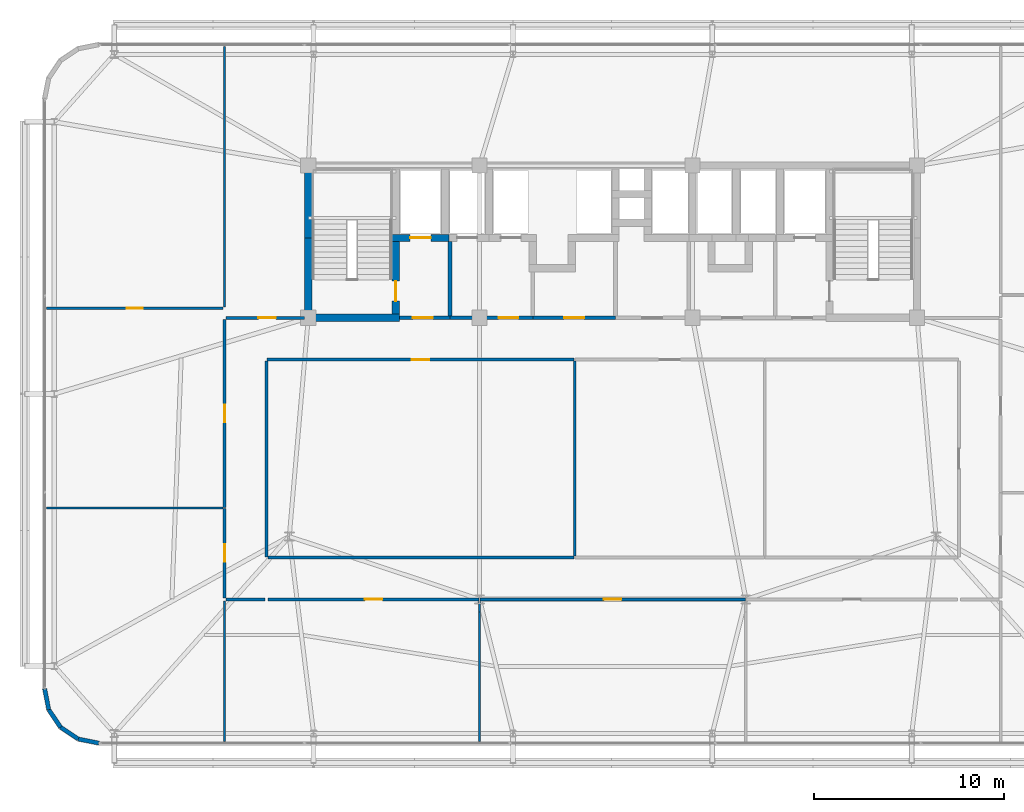
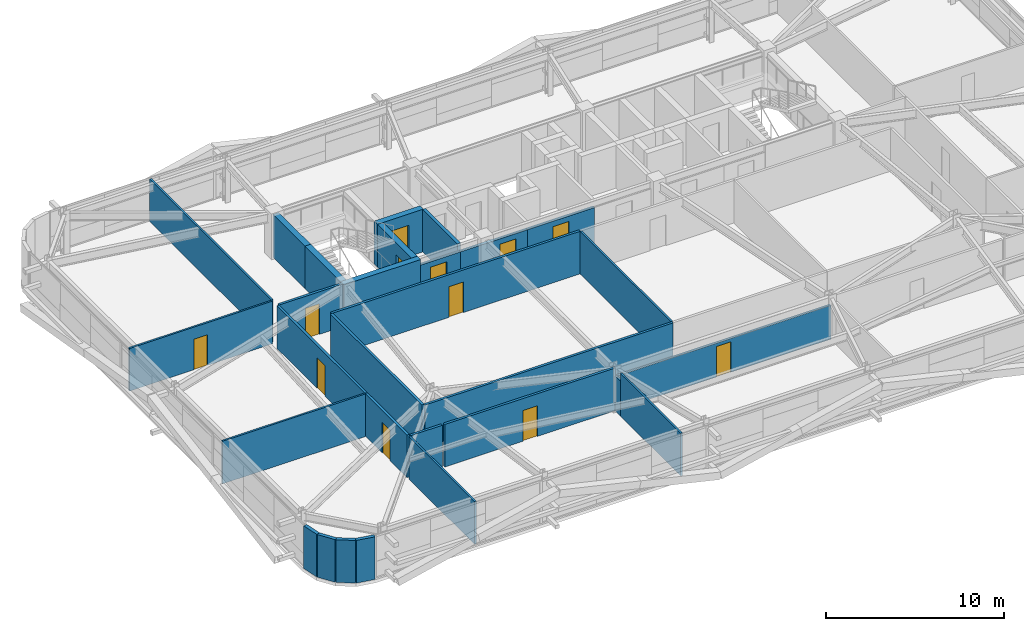
# One storey, part 39 of 44: 29 walls, 12 doors, 12 openings.
"""IFC4 building model written with IfcOpenShell, lengths in metres."""

from ifc_helpers import new_model, si_unit, direction, frame, frame_2d, origin, place, context, subcontext, project, spatial, rectangle, extrude, source, transform, mapped, material, layer, layer_set, type_object, element, fill, save


model = new_model("IFC4")

# Units and contexts
model_context = context("Model", 3, precision=1e-05, world=origin(), true_north=direction((0.0, 1.0)))
body_context = subcontext(model_context, "Body", "Model", "MODEL_VIEW")
ifc_project = project(units=[si_unit("LENGTHUNIT", "METRE"), si_unit("AREAUNIT", "SQUARE_METRE"), si_unit("VOLUMEUNIT", "CUBIC_METRE"), si_unit("PLANEANGLEUNIT", "RADIAN"), si_unit("MASSUNIT", "GRAM", prefix="KILO")], contexts=[model_context])

# Site, building, storey
site_placement = place(None, origin())
site = spatial("IfcSite", under=ifc_project, at=site_placement, CompositionType="ELEMENT")
building_placement = place(site_placement, origin())
building = spatial("IfcBuilding", under=site, at=building_placement, Name="Taldren Reach Tower", CompositionType="ELEMENT")
storey_placement = place(building_placement, frame((0.0, 0.0, 42.0)))
storey = spatial("IfcBuildingStorey", under=building, at=storey_placement, Name="L12", CompositionType="ELEMENT", Elevation=42.0)

# Walls
ifc_material_1 = material(Name="Pale Champagne Anodised Aluminium Cladding", Category="aluminium")
ifc_layer_1 = layer(ifc_material_1, 0.04, Name="Pale Champagne Anodised Aluminium Cladding", Category="aluminium")
ifc_material_2 = material(Name="Mineral Wool Acoustic Insulation", Category="insulation")
ifc_layer_2 = layer(ifc_material_2, 0.06, Name="Mineral Wool Acoustic Insulation", Category="insulation")
ifc_material_3 = material(Name="Steel Gr 350 (C350L0)", Category="steel")
ifc_layer_3 = layer(ifc_material_3, 0.12, Name="Steel Gr 350 (C350L0)", Category="steel")
ifc_layer_set_1 = layer_set([ifc_layer_1, ifc_layer_2, ifc_layer_3], Name="Pale Champagne Aluminium Cladding and Steel Gr 350 Stud Framing")
wall_type_1 = type_object("IfcWallType", Name="EW-CRN-220", PredefinedType="SOLIDWALL", material=ifc_layer_set_1)
shared_shape_1 = source(origin(), body_context, "Body", "SweptSolid", [
    extrude(rectangle(XDim=1.115966796875, YDim=0.219970703125, at=frame_2d((0.55810546875, 0.0))), origin(), (0.0, 0.0, 1.0), 2.929931640625),
])
for number, where, z_axis, x_axis, name in (
    (1, (5.139892578125, 4.5, 0.0), (0.0, 0.0, 1.0), (0.195148375659, -0.98077373103, 0.0), "Rounded-corner pale-metal facade wall L12-SW1"),
    (2, (5.357666015625, 3.405517578125, 0.0), (0.0, 0.0, 1.0), (0.555709556774, -0.83137650226, 0.0), "Rounded-corner pale-metal facade wall L12-SW2"),
    (3, (5.977783203125, 2.477783203125, 0.0), (0.0, 0.0, 1.0), (0.83137650226, -0.555709556774, 0.0), "Rounded-corner pale-metal facade wall L12-SW3"),
    (4, (6.905517578125, 1.857666015625, 0.0), (0.0, 0.0, 1.0), (0.98077373103, -0.195148375659, 0.0), "Rounded-corner pale-metal facade wall L12-SW4"),
):
    element("IfcWall", number, at=place(storey_placement, frame(where, z_axis=z_axis, x_axis=x_axis)), inside=storey, type_object=wall_type_1, Name=name, PredefinedType="SOLIDWALL", context=body_context, shape_type="MappedRepresentation", body=[
        mapped(shared_shape_1, transform((0.0, 0.0, 0.0), scale=1.0)),
    ])
ifc_material_4 = material(Name="Concrete S80 (80 MPa)", Category="concrete")
ifc_layer_4 = layer(ifc_material_4, 0.3798828125)
ifc_layer_set_2 = layer_set([ifc_layer_4], Name="Concrete S80 (80 MPa)")
wall_type_2 = type_object("IfcWallType", Name="IW-CORE-380", PredefinedType="SHEAR", material=ifc_layer_set_2)
shared_shape_2 = source(origin(), body_context, "Body", "SweptSolid", [
    extrude(rectangle(XDim=4.010009765625, YDim=0.3798828125, at=frame_2d((2.0048828125, 0.0))), origin(), (0.0, 0.0, 1.0), 2.929931640625),
])
wall_1_placement = place(storey_placement, frame((19.0, 24.18994140625, 0.0), z_axis=(0.0, 0.0, 1.0), x_axis=(0.0, 1.0, 0.0)))
element("IfcWall", 5, at=wall_1_placement, inside=storey, type_object=wall_type_2, Name="Rear Core Shear Wall W-CORE-L12-WEST1", PredefinedType="SHEAR", context=body_context, shape_type="MappedRepresentation", body=[
    mapped(shared_shape_2, transform((0.0, 0.0, 0.0), scale=1.0)),
])
shared_shape_3 = source(origin(), body_context, "Body", "SweptSolid", [
    extrude(rectangle(XDim=3.610107421875, YDim=0.3798828125, at=frame_2d((1.80517578125, 0.0))), origin(), (0.0, 0.0, 1.0), 2.929931640625),
])
wall_2_placement = place(storey_placement, frame((19.0, 28.199951171875, 0.0), z_axis=(0.0, 0.0, 1.0), x_axis=(0.0, 1.0, 0.0)))
element("IfcWall", 6, at=wall_2_placement, inside=storey, type_object=wall_type_2, Name="Rear Core Shear Wall W-CORE-L12-WEST2", PredefinedType="SHEAR", context=body_context, shape_type="MappedRepresentation", body=[
    mapped(shared_shape_3, transform((0.0, 0.0, 0.0), scale=1.0)),
])

# Wall, opening, door
shared_shape_4 = source(origin(), body_context, "Body", "SweptSolid", [
    extrude(rectangle(XDim=3.820068359375, YDim=0.3798828125, at=frame_2d((1.91015625, 0.0))), origin(), (0.0, 0.0, 1.0), 2.929931640625),
])
wall_3_placement = place(storey_placement, frame((23.60009765625, 24.18994140625, 0.0), z_axis=(0.0, 0.0, 1.0), x_axis=(0.0, 1.0, 0.0)))
wall_3 = element("IfcWall", 7, at=wall_3_placement, inside=storey, type_object=wall_type_2, Name="Rear Core Shear Wall W-INT-L12-002", PredefinedType="SHEAR", context=body_context, shape_type="MappedRepresentation", body=[
    mapped(shared_shape_4, transform((0.0, 0.0, 0.0), scale=1.0)),
])
shared_shape_5 = source(origin(), body_context, "Body", "SweptSolid", [
    extrude(rectangle(XDim=1.050048828125, YDim=2.10009765625, at=frame_2d((0.52490234375, 1.050048828125))), frame((0.0, 0.199951171875, 0.0), z_axis=(0.0, -1.0, 0.0), x_axis=(1.0, 0.0, 0.0)), (0.0, 0.0, 1.0), 0.39990234375),
])
opening_1_placement = place(wall_3_placement, frame((0.68505859375, 0.0, 0.0)))
opening_1 = element("IfcOpeningElement", 8, at=opening_1_placement, cuts=wall_3, Name="Opening DF-105", PredefinedType="OPENING", context=body_context, shape_type="MappedRepresentation", body=[
    mapped(shared_shape_5, transform((0.0, 0.0, 0.0), scale=1.0)),
])
ifc_material_5 = material(Name="Fire-Rated Care and Stair Exit Door")
door_type_1 = type_object("IfcDoorType", Name="ID-FIRE-105", OperationType="NOTDEFINED", PredefinedType="DOOR", material=ifc_material_5)
shared_shape_6 = source(origin(), body_context, "Body", "SweptSolid", [
    extrude(rectangle(XDim=1.050048828125, YDim=2.10009765625, at=frame_2d((0.52490234375, 1.050048828125))), frame((0.0, 0.02490234375, 0.0), z_axis=(0.0, -1.0, 0.0), x_axis=(1.0, 0.0, 0.0)), (0.0, 0.0, 1.0), 0.050048828125),
])
door_1_placement = place(opening_1_placement, origin())
door_1 = element("IfcDoor", 9, at=door_1_placement, inside=storey, type_object=door_type_1, Name="Fire Exit Stair Door DR-L12-001", OperationType="SINGLE_SWING_LEFT", OverallHeight=2.10009765625, OverallWidth=1.050048828125, PredefinedType="DOOR", context=body_context, shape_type="MappedRepresentation", body=[
    mapped(shared_shape_6, transform((0.0, 0.0, 0.0), scale=1.0)),
])
fill(opening_1, door_1)

# Wall
shared_shape_7 = source(origin(), body_context, "Body", "SweptSolid", [
    extrude(rectangle(XDim=4.97998046875, YDim=0.3798828125, at=frame_2d((2.489990234375, 0.0))), origin(), (0.0, 0.0, 1.0), 2.929931640625),
])
wall_4_placement = place(storey_placement, frame((18.81005859375, 24.0, 0.0), z_axis=(0.0, 0.0, 1.0), x_axis=(1.0, 0.0, 0.0)))
element("IfcWall", 10, at=wall_4_placement, inside=storey, type_object=wall_type_2, Name="Rear Core Shear Wall W-INT-L12-003", PredefinedType="SHEAR", context=body_context, shape_type="MappedRepresentation", body=[
    mapped(shared_shape_7, transform((0.0, 0.0, 0.0), scale=1.0)),
])

# Wall, opening, door
shared_shape_8 = source(origin(), body_context, "Body", "SweptSolid", [
    extrude(rectangle(XDim=2.97998046875, YDim=0.3798828125, at=frame_2d((1.489990234375, 0.0))), origin(), (0.0, 0.0, 1.0), 2.929931640625),
])
wall_5_placement = place(storey_placement, frame((23.409912109375, 28.199951171875, 0.0), z_axis=(0.0, 0.0, 1.0), x_axis=(1.0, 0.0, 0.0)))
wall_5 = element("IfcWall", 11, at=wall_5_placement, inside=storey, type_object=wall_type_2, Name="Rear Core Shear Wall W-INT-L12-004", PredefinedType="SHEAR", context=body_context, shape_type="MappedRepresentation", body=[
    mapped(shared_shape_8, transform((0.0, 0.0, 0.0), scale=1.0)),
])
shared_shape_9 = source(origin(), body_context, "Body", "SweptSolid", [
    extrude(rectangle(XDim=1.10009765625, YDim=2.14990234375, at=frame_2d((0.550048828125, 1.074951171875))), frame((0.0, 0.199951171875, 0.0), z_axis=(0.0, -1.0, 0.0), x_axis=(1.0, 0.0, 0.0)), (0.0, 0.0, 1.0), 0.39990234375),
])
opening_2_placement = place(wall_5_placement, frame((0.93994140625, 0.0, 0.0)))
opening_2 = element("IfcOpeningElement", 12, at=opening_2_placement, cuts=wall_5, Name="Opening LD-FL1", PredefinedType="OPENING", context=body_context, shape_type="MappedRepresentation", body=[
    mapped(shared_shape_9, transform((0.0, 0.0, 0.0), scale=1.0)),
])
ifc_material_6 = material(Name="Stainless Steel Gr 316 Emergency Lift Landing Door", Category="steel")
door_type_2 = type_object("IfcDoorType", Name="LD-EMG-110", OperationType="SLIDING_TO_LEFT", PredefinedType="DOOR", material=ifc_material_6)
shared_shape_10 = source(origin(), body_context, "Body", "SweptSolid", [
    extrude(rectangle(XDim=1.10009765625, YDim=2.14990234375, at=frame_2d((0.550048828125, 1.074951171875))), frame((0.0, 0.02490234375, 0.0), z_axis=(0.0, -1.0, 0.0), x_axis=(1.0, 0.0, 0.0)), (0.0, 0.0, 1.0), 0.050048828125),
])
door_2_placement = place(opening_2_placement, origin())
door_2 = element("IfcDoor", 13, at=door_2_placement, inside=storey, type_object=door_type_2, Name="Lift Landing Door LD-FL1-L12", OperationType="SLIDING_TO_LEFT", OverallHeight=2.14990234375, OverallWidth=1.10009765625, PredefinedType="DOOR", context=body_context, shape_type="MappedRepresentation", body=[
    mapped(shared_shape_10, transform((0.0, 0.0, 0.0), scale=1.0)),
])
fill(opening_2, door_2)

# Wall
ifc_material_7 = material(Name="Concrete S50 (50 MPa)", Category="concrete")
ifc_layer_5 = layer(ifc_material_7, 0.199951171875)
ifc_layer_set_3 = layer_set([ifc_layer_5], Name="Concrete S50 (50 MPa)")
wall_type_3 = type_object("IfcWallType", Name="IW-CORE-200", PredefinedType="SOLIDWALL", material=ifc_layer_set_3)
shared_shape_11 = source(origin(), body_context, "Body", "SweptSolid", [
    extrude(rectangle(XDim=3.909912109375, YDim=0.199951171875, at=frame_2d((1.955078125, 0.0))), origin(), (0.0, 0.0, 1.0), 2.929931640625),
])
wall_6_placement = place(storey_placement, frame((26.449951171875, 24.10009765625, 0.0), z_axis=(0.0, 0.0, 1.0), x_axis=(0.0, 1.0, 0.0)))
element("IfcWall", 14, at=wall_6_placement, inside=storey, type_object=wall_type_3, Name="Rear Core Shear Wall W-INT-L12-006", PredefinedType="SOLIDWALL", context=body_context, shape_type="MappedRepresentation", body=[
    mapped(shared_shape_11, transform((0.0, 0.0, 0.0), scale=1.0)),
])

# Wall, opening, door
shared_shape_12 = source(origin(), body_context, "Body", "SweptSolid", [
    extrude(rectangle(XDim=2.659912109375, YDim=0.199951171875, at=frame_2d((1.330078125, 0.0))), origin(), (0.0, 0.0, 1.0), 2.469970703125),
])
wall_7_placement = place(storey_placement, frame((23.7900390625, 24.0, 0.0), z_axis=(0.0, 0.0, 1.0), x_axis=(1.0, 0.0, 0.0)))
wall_7 = element("IfcWall", 15, at=wall_7_placement, inside=storey, type_object=wall_type_3, Name="Rear Core Shear Wall W-INT-L12-007", PredefinedType="SOLIDWALL", context=body_context, shape_type="MappedRepresentation", body=[
    mapped(shared_shape_12, transform((0.0, 0.0, 0.0), scale=1.0)),
])
shared_shape_13 = source(origin(), body_context, "Body", "SweptSolid", [
    extrude(rectangle(XDim=1.050048828125, YDim=2.10009765625, at=frame_2d((0.52490234375, 1.050048828125))), frame((0.0, 0.10986328125, 0.0), z_axis=(0.0, -1.0, 0.0), x_axis=(1.0, 0.0, 0.0)), (0.0, 0.0, 1.0), 0.219970703125),
])
opening_3_placement = place(wall_7_placement, frame((0.7099609375, 0.0, 0.0)))
opening_3 = element("IfcOpeningElement", 16, at=opening_3_placement, cuts=wall_7, Name="Opening DF-105", PredefinedType="OPENING", context=body_context, shape_type="MappedRepresentation", body=[
    mapped(shared_shape_13, transform((0.0, 0.0, 0.0), scale=1.0)),
])
door_3_placement = place(opening_3_placement, origin())
door_3 = element("IfcDoor", 17, at=door_3_placement, inside=storey, type_object=door_type_1, Name="Interior Door DR-L12-002", OperationType="SINGLE_SWING_LEFT", OverallHeight=2.10009765625, OverallWidth=1.050048828125, PredefinedType="DOOR", context=body_context, shape_type="MappedRepresentation", body=[
    mapped(shared_shape_6, transform((0.0, 0.0, 0.0), scale=1.0)),
])
fill(opening_3, door_3)

shared_shape_14 = source(origin(), body_context, "Body", "SweptSolid", [
    extrude(rectangle(XDim=4.35009765625, YDim=0.199951171875, at=frame_2d((2.175048828125, 0.0))), origin(), (0.0, 0.0, 1.0), 2.469970703125),
])
wall_8_placement = place(storey_placement, frame((30.800048828125, 24.0, 0.0), z_axis=(0.0, 0.0, 1.0), x_axis=(-1.0, 0.0, 0.0)))
wall_8 = element("IfcWall", 18, at=wall_8_placement, inside=storey, type_object=wall_type_3, Name="Rear Core Shear Wall W-INT-L12-033", PredefinedType="SOLIDWALL", context=body_context, shape_type="MappedRepresentation", body=[
    mapped(shared_shape_14, transform((0.0, 0.0, 0.0), scale=1.0)),
])
opening_4_placement = place(wall_8_placement, frame((0.75, 0.0, 0.0)))
opening_4 = element("IfcOpeningElement", 19, at=opening_4_placement, cuts=wall_8, Name="Opening DF-105", PredefinedType="OPENING", context=body_context, shape_type="MappedRepresentation", body=[
    mapped(shared_shape_13, transform((0.0, 0.0, 0.0), scale=1.0)),
])
door_4_placement = place(opening_4_placement, frame((1.050048828125, 0.0, 0.0), z_axis=(0.0, 0.0, 1.0), x_axis=(-1.0, 0.0, 0.0)))
door_4 = element("IfcDoor", 20, at=door_4_placement, inside=storey, type_object=door_type_1, Name="Interior Door DR-L12-005", OperationType="SINGLE_SWING_RIGHT", OverallHeight=2.10009765625, OverallWidth=1.050048828125, PredefinedType="DOOR", context=body_context, shape_type="MappedRepresentation", body=[
    mapped(shared_shape_6, transform((0.0, 0.0, 0.0), scale=1.0)),
])
fill(opening_4, door_4)

# Walls
ifc_material_8 = material(Name="Fire-Rated Acoustic Plasterboard Stud Wall", Category="gypsum")
ifc_layer_6 = layer(ifc_material_8, 0.159912109375)
ifc_layer_set_4 = layer_set([ifc_layer_6], Name="Fire-Rated Acoustic Plasterboard Stud Wall")
wall_type_4 = type_object("IfcWallType", Name="IW-FIRE-160", PredefinedType="PARTITIONING", material=ifc_layer_set_4)
shared_shape_15 = source(origin(), body_context, "Body", "SweptSolid", [
    extrude(rectangle(XDim=10.2998046875, YDim=0.159912109375, at=frame_2d((5.14990234375, 0.0))), origin(), (0.0, 0.0, 1.0), 2.929931640625),
])
wall_9_placement = place(storey_placement, frame((16.800048828125, 21.719970703125, 0.0), z_axis=(0.0, 0.0, 1.0), x_axis=(0.0, -1.0, 0.0)))
element("IfcWall", 21, at=wall_9_placement, inside=storey, type_object=wall_type_4, Name="Interior Partition Wall W-INT-L12-048", PredefinedType="PARTITIONING", context=body_context, shape_type="MappedRepresentation", body=[
    mapped(shared_shape_15, transform((0.0, 0.0, 0.0), scale=1.0)),
])
shared_shape_16 = source(origin(), body_context, "Body", "SweptSolid", [
    extrude(rectangle(XDim=2.0400390625, YDim=0.159912109375, at=frame_2d((1.02001953125, 0.0))), origin(), (0.0, 0.0, 1.0), 2.929931640625),
])
wall_10_placement = place(storey_placement, frame((16.719970703125, 9.199951171875, 0.0), z_axis=(0.0, 0.0, 1.0), x_axis=(-1.0, 0.0, 0.0)))
element("IfcWall", 22, at=wall_10_placement, inside=storey, type_object=wall_type_4, Name="Interior Partition Wall W-INT-L12-052", PredefinedType="PARTITIONING", context=body_context, shape_type="MappedRepresentation", body=[
    mapped(shared_shape_16, transform((0.0, 0.0, 0.0), scale=1.0)),
])

# Wall, opening, door
shared_shape_17 = source(origin(), body_context, "Body", "SweptSolid", [
    extrude(rectangle(XDim=4.130126953125, YDim=0.159912109375, at=frame_2d((2.06494140625, 0.0))), origin(), (0.0, 0.0, 1.0), 2.929931640625),
])
wall_11_placement = place(storey_placement, frame((14.679931640625, 24.0, 0.0), z_axis=(0.0, 0.0, 1.0), x_axis=(1.0, 0.0, 0.0)))
wall_11 = element("IfcWall", 23, at=wall_11_placement, inside=storey, type_object=wall_type_4, Name="Interior Partition Wall W-INT-L12-058", PredefinedType="PARTITIONING", context=body_context, shape_type="MappedRepresentation", body=[
    mapped(shared_shape_17, transform((0.0, 0.0, 0.0), scale=1.0)),
])
shared_shape_18 = source(origin(), body_context, "Body", "SweptSolid", [
    extrude(rectangle(XDim=0.919921875, YDim=2.10009765625, at=frame_2d((0.4599609375, 1.050048828125))), frame((0.0, 0.08984375, 0.0), z_axis=(0.0, -1.0, 0.0), x_axis=(1.0, 0.0, 0.0)), (0.0, 0.0, 1.0), 0.179931640625),
])
opening_5_placement = place(wall_11_placement, frame((1.68994140625, 0.0, 0.0)))
opening_5 = element("IfcOpeningElement", 24, at=opening_5_placement, cuts=wall_11, Name="Opening DI-092", PredefinedType="OPENING", context=body_context, shape_type="MappedRepresentation", body=[
    mapped(shared_shape_18, transform((0.0, 0.0, 0.0), scale=1.0)),
])
ifc_material_9 = material(Name="Solid-Core Timber Suite Door", Category="wood")
door_type_3 = type_object("IfcDoorType", Name="ID-INT-092", OperationType="NOTDEFINED", PredefinedType="DOOR", material=ifc_material_9)
shared_shape_19 = source(origin(), body_context, "Body", "SweptSolid", [
    extrude(rectangle(XDim=0.919921875, YDim=2.10009765625, at=frame_2d((0.4599609375, 1.050048828125))), frame((0.0, 0.02490234375, 0.0), z_axis=(0.0, -1.0, 0.0), x_axis=(1.0, 0.0, 0.0)), (0.0, 0.0, 1.0), 0.050048828125),
])
door_5_placement = place(opening_5_placement, origin())
door_5 = element("IfcDoor", 25, at=door_5_placement, inside=storey, type_object=door_type_3, Name="Interior Door DR-L12-016", OperationType="SINGLE_SWING_LEFT", OverallHeight=2.10009765625, OverallWidth=0.919921875, PredefinedType="DOOR", context=body_context, shape_type="MappedRepresentation", body=[
    mapped(shared_shape_19, transform((0.0, 0.0, 0.0), scale=1.0)),
])
fill(opening_5, door_5)

shared_shape_20 = source(origin(), body_context, "Body", "SweptSolid", [
    extrude(rectangle(XDim=11.099853515625, YDim=0.159912109375, at=frame_2d((5.5498046875, 0.0))), origin(), (0.0, 0.0, 1.0), 2.929931640625),
])
wall_12_placement = place(storey_placement, frame((27.979736328125, 9.199951171875, 0.0), z_axis=(0.0, 0.0, 1.0), x_axis=(-1.0, 0.0, 0.0)))
wall_12 = element("IfcWall", 26, at=wall_12_placement, inside=storey, type_object=wall_type_4, Name="Interior Partition Wall W-INT-L12-063", PredefinedType="PARTITIONING", context=body_context, shape_type="MappedRepresentation", body=[
    mapped(shared_shape_20, transform((0.0, 0.0, 0.0), scale=1.0)),
])
opening_6_placement = place(wall_12_placement, frame((5.08984375, 0.0, 0.0)))
opening_6 = element("IfcOpeningElement", 27, at=opening_6_placement, cuts=wall_12, Name="Opening DI-092", PredefinedType="OPENING", context=body_context, shape_type="MappedRepresentation", body=[
    mapped(shared_shape_18, transform((0.0, 0.0, 0.0), scale=1.0)),
])
door_6_placement = place(opening_6_placement, origin())
door_6 = element("IfcDoor", 28, at=door_6_placement, inside=storey, type_object=door_type_3, Name="Interior Door DR-L12-017", OperationType="SINGLE_SWING_RIGHT", OverallHeight=2.10009765625, OverallWidth=0.919921875, PredefinedType="DOOR", context=body_context, shape_type="MappedRepresentation", body=[
    mapped(shared_shape_19, transform((0.0, 0.0, 0.0), scale=1.0)),
])
fill(opening_6, door_6)

shared_shape_21 = source(origin(), body_context, "Body", "SweptSolid", [
    extrude(rectangle(XDim=4.349853515625, YDim=0.199951171875, at=frame_2d((2.1748046875, 0.0))), origin(), (0.0, 0.0, 1.0), 2.469970703125),
])
wall_13_placement = place(storey_placement, frame((35.14990234375, 24.0, 0.0), z_axis=(0.0, 0.0, 1.0), x_axis=(-1.0, 0.0, 0.0)))
wall_13 = element("IfcWall", 29, at=wall_13_placement, inside=storey, type_object=wall_type_3, Name="Rear Core Shear Wall W-INT-L12-043", PredefinedType="SOLIDWALL", context=body_context, shape_type="MappedRepresentation", body=[
    mapped(shared_shape_21, transform((0.0, 0.0, 0.0), scale=1.0)),
])
opening_7_placement = place(wall_13_placement, frame((1.64990234375, 0.0, 0.0)))
opening_7 = element("IfcOpeningElement", 30, at=opening_7_placement, cuts=wall_13, Name="Opening DF-105", PredefinedType="OPENING", context=body_context, shape_type="MappedRepresentation", body=[
    mapped(shared_shape_13, transform((0.0, 0.0, 0.0), scale=1.0)),
])
door_7_placement = place(opening_7_placement, frame((1.050048828125, 0.0, 0.0), z_axis=(0.0, 0.0, 1.0), x_axis=(-1.0, 0.0, 0.0)))
door_7 = element("IfcDoor", 31, at=door_7_placement, inside=storey, type_object=door_type_1, Name="Interior Door DR-L12-006", OperationType="SINGLE_SWING_RIGHT", OverallHeight=2.10009765625, OverallWidth=1.050048828125, PredefinedType="DOOR", context=body_context, shape_type="MappedRepresentation", body=[
    mapped(shared_shape_6, transform((0.0, 0.0, 0.0), scale=1.0)),
])
fill(opening_7, door_7)

# Wall
ifc_material_10 = material(Name="Insulated Residential Stud Partition", Category="gypsum")
ifc_layer_7 = layer(ifc_material_10, 0.1201171875)
ifc_layer_set_5 = layer_set([ifc_layer_7], Name="Insulated Residential Stud Partition")
wall_type_5 = type_object("IfcWallType", Name="IW-PART-120", PredefinedType="PARTITIONING", material=ifc_layer_set_5)
shared_shape_22 = source(origin(), body_context, "Body", "SweptSolid", [
    extrude(rectangle(XDim=9.2900390625, YDim=0.1201171875, at=frame_2d((4.64501953125, 0.0))), origin(), (0.0, 0.0, 1.0), 2.929931640625),
])
wall_14_placement = place(storey_placement, frame((5.22998046875, 14.0, 0.0), z_axis=(0.0, 0.0, 1.0), x_axis=(1.0, 0.0, 0.0)))
element("IfcWall", 32, at=wall_14_placement, inside=storey, type_object=wall_type_5, Name="Interior Partition Wall W-INT-L12-072", PredefinedType="PARTITIONING", context=body_context, shape_type="MappedRepresentation", body=[
    mapped(shared_shape_22, transform((0.0, 0.0, 0.0), scale=1.0)),
])

# Wall, opening, door
wall_15_placement = place(storey_placement, frame((5.22998046875, 24.5, 0.0), z_axis=(0.0, 0.0, 1.0), x_axis=(1.0, 0.0, 0.0)))
wall_15 = element("IfcWall", 33, at=wall_15_placement, inside=storey, type_object=wall_type_5, Name="Interior Partition Wall W-INT-L12-073", PredefinedType="PARTITIONING", context=body_context, shape_type="MappedRepresentation", body=[
    mapped(shared_shape_22, transform((0.0, 0.0, 0.0), scale=1.0)),
])
shared_shape_23 = source(origin(), body_context, "Body", "SweptSolid", [
    extrude(rectangle(XDim=0.860107421875, YDim=2.10009765625, at=frame_2d((0.43017578125, 1.050048828125))), frame((0.0, 0.070068359375, 0.0), z_axis=(0.0, -1.0, 0.0), x_axis=(1.0, 0.0, 0.0)), (0.0, 0.0, 1.0), 0.14013671875),
])
opening_8_placement = place(wall_15_placement, frame((4.215087890625, 0.0, 0.0)))
opening_8 = element("IfcOpeningElement", 34, at=opening_8_placement, cuts=wall_15, Name="Opening DI-086", PredefinedType="OPENING", context=body_context, shape_type="MappedRepresentation", body=[
    mapped(shared_shape_23, transform((0.0, 0.0, 0.0), scale=1.0)),
])
ifc_material_11 = material(Name="Timber Bathroom Door", Category="wood")
door_type_4 = type_object("IfcDoorType", Name="ID-INT-086", OperationType="NOTDEFINED", PredefinedType="DOOR", material=ifc_material_11)
shared_shape_24 = source(origin(), body_context, "Body", "SweptSolid", [
    extrude(rectangle(XDim=0.860107421875, YDim=2.10009765625, at=frame_2d((0.43017578125, 1.050048828125))), frame((0.0, 0.02490234375, 0.0), z_axis=(0.0, -1.0, 0.0), x_axis=(1.0, 0.0, 0.0)), (0.0, 0.0, 1.0), 0.050048828125),
])
door_8_placement = place(opening_8_placement, frame((0.860107421875, 0.0, 0.0), z_axis=(0.0, 0.0, 1.0), x_axis=(-1.0, 0.0, 0.0)))
door_8 = element("IfcDoor", 35, at=door_8_placement, inside=storey, type_object=door_type_4, Name="Interior Door DR-L12-020", OperationType="SINGLE_SWING_RIGHT", OverallHeight=2.10009765625, OverallWidth=0.860107421875, PredefinedType="DOOR", context=body_context, shape_type="MappedRepresentation", body=[
    mapped(shared_shape_24, transform((0.0, 0.0, 0.0), scale=1.0)),
])
fill(opening_8, door_8)

shared_shape_25 = source(origin(), body_context, "Body", "SweptSolid", [
    extrude(rectangle(XDim=13.95947265625, YDim=0.159912109375, at=frame_2d((6.979736328125, 0.0))), origin(), (0.0, 0.0, 1.0), 2.327880859375),
])
wall_16_placement = place(storey_placement, frame((41.979736328125, 9.199951171875, 0.0), z_axis=(0.0, 0.0, 1.0), x_axis=(-1.0, 0.0, 0.0)))
wall_16 = element("IfcWall", 36, at=wall_16_placement, inside=storey, type_object=wall_type_4, Name="Interior Partition Wall W-INT-L12-064", PredefinedType="PARTITIONING", context=body_context, shape_type="MappedRepresentation", body=[
    mapped(shared_shape_25, transform((0.0, 0.0, 0.0), scale=1.0)),
])
opening_9_placement = place(wall_16_placement, frame((6.519775390625, 0.0, 0.0)))
opening_9 = element("IfcOpeningElement", 37, at=opening_9_placement, cuts=wall_16, Name="Opening DI-092", PredefinedType="OPENING", context=body_context, shape_type="MappedRepresentation", body=[
    mapped(shared_shape_18, transform((0.0, 0.0, 0.0), scale=1.0)),
])
door_9_placement = place(opening_9_placement, origin())
door_9 = element("IfcDoor", 38, at=door_9_placement, inside=storey, type_object=door_type_3, Name="Interior Door DR-L12-018", OperationType="SINGLE_SWING_LEFT", OverallHeight=2.10009765625, OverallWidth=0.919921875, PredefinedType="DOOR", context=body_context, shape_type="MappedRepresentation", body=[
    mapped(shared_shape_19, transform((0.0, 0.0, 0.0), scale=1.0)),
])
fill(opening_9, door_9)

# Wall
shared_shape_26 = source(origin(), body_context, "Body", "SweptSolid", [
    extrude(rectangle(XDim=10.239990234375, YDim=0.1201171875, at=frame_2d((5.1201171875, 0.0))), origin(), (0.0, 0.0, 1.0), 2.929931640625),
])
wall_17_placement = place(storey_placement, frame((33.0, 21.719970703125, 0.0), z_axis=(0.0, 0.0, 1.0), x_axis=(0.0, -1.0, 0.0)))
element("IfcWall", 39, at=wall_17_placement, inside=storey, type_object=wall_type_5, Name="Interior Partition Wall W-INT-L12-066", PredefinedType="PARTITIONING", context=body_context, shape_type="MappedRepresentation", body=[
    mapped(shared_shape_26, transform((0.0, 0.0, 0.0), scale=1.0)),
])

# Wall, opening, door
shared_shape_27 = source(origin(), body_context, "Body", "SweptSolid", [
    extrude(rectangle(XDim=16.159423828125, YDim=0.159912109375, at=frame_2d((8.07958984375, 0.0))), origin(), (0.0, 0.0, 1.0), 2.929931640625),
])
wall_18_placement = place(storey_placement, frame((32.979736328125, 21.800048828125, 0.0), z_axis=(0.0, 0.0, 1.0), x_axis=(-1.0, 0.0, 0.0)))
wall_18 = element("IfcWall", 40, at=wall_18_placement, inside=storey, type_object=wall_type_4, Name="Interior Partition Wall W-INT-L12-047", PredefinedType="PARTITIONING", context=body_context, shape_type="MappedRepresentation", body=[
    mapped(shared_shape_27, transform((0.0, 0.0, 0.0), scale=1.0)),
])
opening_10_placement = place(wall_18_placement, frame((7.619873046875, 0.0, 0.0)))
opening_10 = element("IfcOpeningElement", 41, at=opening_10_placement, cuts=wall_18, Name="Opening DI-092", PredefinedType="OPENING", context=body_context, shape_type="MappedRepresentation", body=[
    mapped(shared_shape_18, transform((0.0, 0.0, 0.0), scale=1.0)),
])
door_10_placement = place(opening_10_placement, origin())
door_10 = element("IfcDoor", 42, at=door_10_placement, inside=storey, type_object=door_type_3, Name="Interior Door DR-L12-009", OperationType="SINGLE_SWING_RIGHT", OverallHeight=2.10009765625, OverallWidth=0.919921875, PredefinedType="DOOR", context=body_context, shape_type="MappedRepresentation", body=[
    mapped(shared_shape_19, transform((0.0, 0.0, 0.0), scale=1.0)),
])
fill(opening_10, door_10)

shared_shape_28 = source(origin(), body_context, "Body", "SweptSolid", [
    extrude(rectangle(XDim=4.69970703125, YDim=0.159912109375, at=frame_2d((2.349853515625, 0.0))), origin(), (0.0, 0.0, 1.0), 2.929931640625),
])
wall_19_placement = place(storey_placement, frame((14.60009765625, 9.280029296875, 0.0), z_axis=(0.0, 0.0, 1.0), x_axis=(0.0, 1.0, 0.0)))
wall_19 = element("IfcWall", 43, at=wall_19_placement, inside=storey, type_object=wall_type_4, Name="Interior Partition Wall W-INT-L12-054", PredefinedType="PARTITIONING", context=body_context, shape_type="MappedRepresentation", body=[
    mapped(shared_shape_28, transform((0.0, 0.0, 0.0), scale=1.0)),
])
opening_11_placement = place(wall_19_placement, frame((1.889892578125, 0.0, 0.0)))
opening_11 = element("IfcOpeningElement", 44, at=opening_11_placement, cuts=wall_19, Name="Opening DI-092", PredefinedType="OPENING", context=body_context, shape_type="MappedRepresentation", body=[
    mapped(shared_shape_18, transform((0.0, 0.0, 0.0), scale=1.0)),
])
door_11_placement = place(opening_11_placement, origin())
door_11 = element("IfcDoor", 45, at=door_11_placement, inside=storey, type_object=door_type_3, Name="Interior Door DR-L12-012", OperationType="SINGLE_SWING_LEFT", OverallHeight=2.10009765625, OverallWidth=0.919921875, PredefinedType="DOOR", context=body_context, shape_type="MappedRepresentation", body=[
    mapped(shared_shape_19, transform((0.0, 0.0, 0.0), scale=1.0)),
])
fill(opening_11, door_11)

shared_shape_29 = source(origin(), body_context, "Body", "SweptSolid", [
    extrude(rectangle(XDim=9.899658203125, YDim=0.159912109375, at=frame_2d((4.94970703125, 0.0))), origin(), (0.0, 0.0, 1.0), 2.929931640625),
])
wall_20_placement = place(storey_placement, frame((14.60009765625, 14.020263671875, 0.0), z_axis=(0.0, 0.0, 1.0), x_axis=(0.0, 1.0, 0.0)))
wall_20 = element("IfcWall", 46, at=wall_20_placement, inside=storey, type_object=wall_type_4, Name="Interior Partition Wall W-INT-L12-055", PredefinedType="PARTITIONING", context=body_context, shape_type="MappedRepresentation", body=[
    mapped(shared_shape_29, transform((0.0, 0.0, 0.0), scale=1.0)),
])
opening_12_placement = place(wall_20_placement, frame((4.489990234375, 0.0, 0.0)))
opening_12 = element("IfcOpeningElement", 47, at=opening_12_placement, cuts=wall_20, Name="Opening DI-092", PredefinedType="OPENING", context=body_context, shape_type="MappedRepresentation", body=[
    mapped(shared_shape_18, transform((0.0, 0.0, 0.0), scale=1.0)),
])
door_12_placement = place(opening_12_placement, origin())
door_12 = element("IfcDoor", 48, at=door_12_placement, inside=storey, type_object=door_type_3, Name="Interior Door DR-L12-013", OperationType="SINGLE_SWING_RIGHT", OverallHeight=2.10009765625, OverallWidth=0.919921875, PredefinedType="DOOR", context=body_context, shape_type="MappedRepresentation", body=[
    mapped(shared_shape_19, transform((0.0, 0.0, 0.0), scale=1.0)),
])
fill(opening_12, door_12)

# Walls
shared_shape_30 = source(origin(), body_context, "Body", "SweptSolid", [
    extrude(rectangle(XDim=16.099853515625, YDim=0.159912109375, at=frame_2d((8.0498046875, 0.0))), origin(), (0.0, 0.0, 1.0), 2.929931640625),
])
wall_21_placement = place(storey_placement, frame((16.8798828125, 11.39990234375, 0.0), z_axis=(0.0, 0.0, 1.0), x_axis=(1.0, 0.0, 0.0)))
element("IfcWall", 49, at=wall_21_placement, inside=storey, type_object=wall_type_4, Name="Interior Partition Wall W-INT-L12-060", PredefinedType="PARTITIONING", context=body_context, shape_type="MappedRepresentation", body=[
    mapped(shared_shape_30, transform((0.0, 0.0, 0.0), scale=1.0)),
])
shared_shape_31 = source(origin(), body_context, "Body", "SweptSolid", [
    extrude(rectangle(XDim=0.589599609375, YDim=0.1201171875, at=frame_2d((0.294921875, 0.0))), origin(), (0.0, 0.0, 1.0), 2.39697265625),
])
wall_22_placement = place(storey_placement, frame((28.0, 9.117919921875, 0.0), z_axis=(0.0, 0.0, 1.0), x_axis=(0.0, -1.0, 0.0)))
element("IfcWall", 50, at=wall_22_placement, inside=storey, type_object=wall_type_5, Name="Interior Partition Wall W-INT-L12-068", PredefinedType="PARTITIONING", context=body_context, shape_type="MappedRepresentation", body=[
    mapped(shared_shape_31, transform((0.0, 0.0, 0.0), scale=1.0)),
])
shared_shape_32 = source(origin(), body_context, "Body", "SweptSolid", [
    extrude(rectangle(XDim=6.79638671875, YDim=0.1201171875, at=frame_2d((3.398193359375, 0.0))), origin(), (0.0, 0.0, 1.0), 2.929931640625),
])
wall_23_placement = place(storey_placement, frame((28.0, 8.5283203125, 0.0), z_axis=(0.0, 0.0, 1.0), x_axis=(0.0, -1.0, 0.0)))
element("IfcWall", 51, at=wall_23_placement, inside=storey, type_object=wall_type_5, Name="Interior Partition Wall W-INT-L12-068 part 2", PredefinedType="PARTITIONING", context=body_context, shape_type="MappedRepresentation", body=[
    mapped(shared_shape_32, transform((0.0, 0.0, 0.0), scale=1.0)),
])
shared_shape_33 = source(origin(), body_context, "Body", "SweptSolid", [
    extrude(rectangle(XDim=7.385986328125, YDim=0.1201171875, at=frame_2d((3.69287109375, 0.0))), origin(), (0.0, 0.0, 1.0), 2.929931640625),
])
wall_24_placement = place(storey_placement, frame((14.60009765625, 1.73193359375, 0.0), z_axis=(0.0, 0.0, 1.0), x_axis=(0.0, 1.0, 0.0)))
element("IfcWall", 52, at=wall_24_placement, inside=storey, type_object=wall_type_5, Name="Interior Partition Wall W-INT-L12-069", PredefinedType="PARTITIONING", context=body_context, shape_type="MappedRepresentation", body=[
    mapped(shared_shape_33, transform((0.0, 0.0, 0.0), scale=1.0)),
])
shared_shape_34 = source(origin(), body_context, "Body", "SweptSolid", [
    extrude(rectangle(XDim=13.68994140625, YDim=0.1201171875, at=frame_2d((6.844970703125, 0.0))), origin(), (0.0, 0.0, 1.0), 2.929931640625),
])
wall_25_placement = place(storey_placement, frame((14.60009765625, 38.27001953125, 0.0), z_axis=(0.0, 0.0, 1.0), x_axis=(0.0, -1.0, 0.0)))
element("IfcWall", 53, at=wall_25_placement, inside=storey, type_object=wall_type_5, Name="Interior Partition Wall W-INT-L12-074", PredefinedType="PARTITIONING", context=body_context, shape_type="MappedRepresentation", body=[
    mapped(shared_shape_34, transform((0.0, 0.0, 0.0), scale=1.0)),
])

save(model, "model.ifc")
